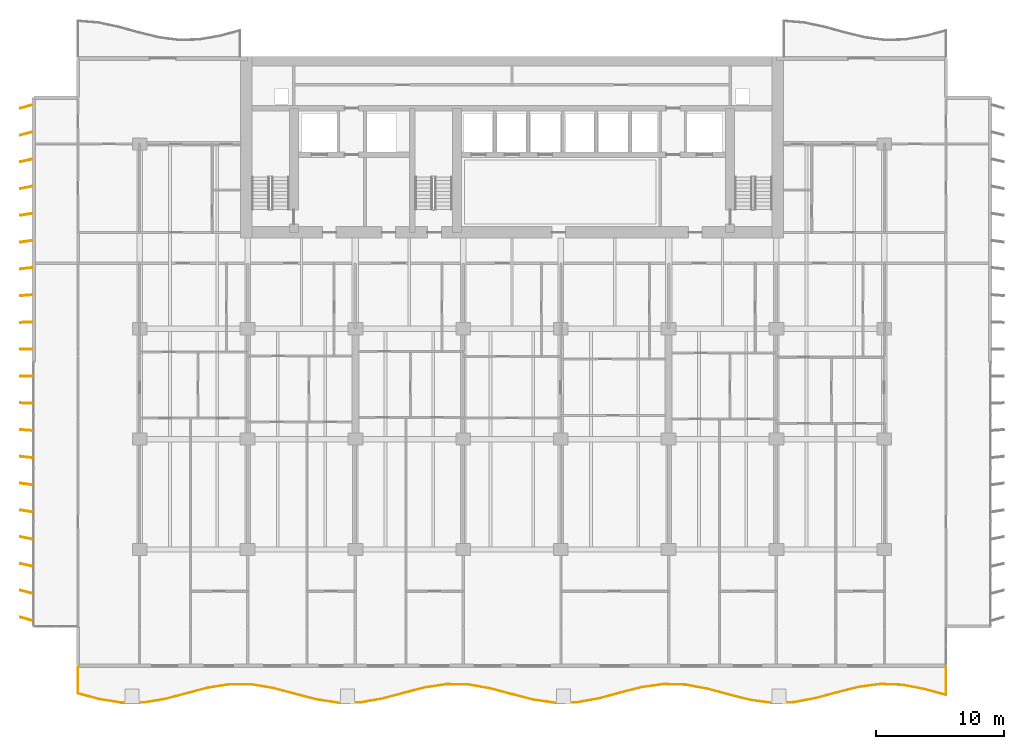
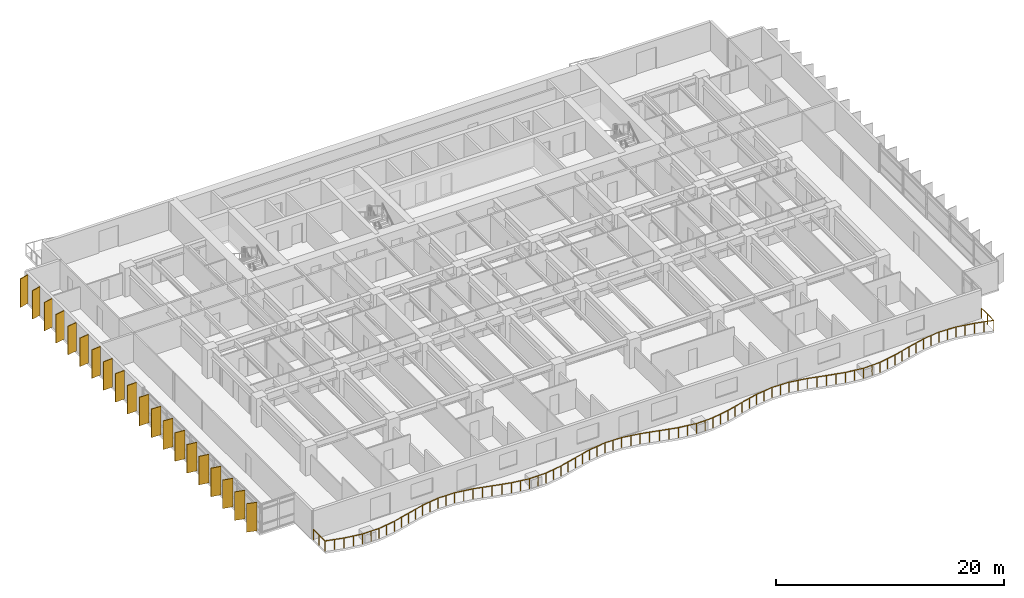
# One storey, part 14 of 17: 20 shading devices, 1 railing.
"""IFC4 building model written with IfcOpenShell, lengths in metres."""

from ifc_helpers import new_model, si_unit, direction, frame, origin, origin_2d, place, context, subcontext, project, spatial, rectangle, circle, extrude, material, material_profile, profile_set, type_object, element, save


model = new_model("IFC4")

# Units and contexts
model_context = context("Model", 3, precision=1e-05, world=origin(), true_north=direction((0.0, 1.0)))
body_context = subcontext(model_context, "Body", "Model", "MODEL_VIEW")
ifc_project = project(units=[si_unit("LENGTHUNIT", "METRE"), si_unit("AREAUNIT", "SQUARE_METRE"), si_unit("VOLUMEUNIT", "CUBIC_METRE"), si_unit("PLANEANGLEUNIT", "RADIAN"), si_unit("MASSUNIT", "GRAM", prefix="KILO")], contexts=[model_context])

# Site, building, storey
site_placement = place(None, origin())
site = spatial("IfcSite", under=ifc_project, at=site_placement, CompositionType="ELEMENT")
building_placement = place(site_placement, origin())
building = spatial("IfcBuilding", under=site, at=building_placement, Name="Caelmar Bay Residences", CompositionType="ELEMENT")
storey_placement = place(building_placement, frame((0.0, 0.0, 30.0)))
storey = spatial("IfcBuildingStorey", under=building, at=storey_placement, Name="L06", CompositionType="ELEMENT", Elevation=30.0)

# Railing
ifc_material_1 = material(Name="Anodised bronze handrail with laminated hurricane glass infill", Category="glass")
railing_type = type_object("IfcRailingType", Name="RL-BAL-1100", PredefinedType="BALUSTRADE", material=ifc_material_1)
railing_placement = place(storey_placement, frame((5.10009765625, 3.0, 0.0)))
element("IfcRailing", 1, at=railing_placement, inside=storey, type_object=railing_type, Name="L06 south Balcony Balustrade", PredefinedType="BALUSTRADE", context=body_context, shape_type="SweptSolid", body=[
    extrude(circle(Radius=0.02392578125, at=origin_2d()), frame((0.0, 0.0, 1.076171875), z_axis=(0.0, -1.0, 0.0), x_axis=(1.0, 0.0, 0.0)), (0.0, 0.0, 1.0), 2.02001953125),
    extrude(circle(Radius=0.02392578125, at=origin_2d()), frame((0.0, -2.02001953125, 1.076171875), z_axis=(0.9673004227, -0.253633381566, 0.0), x_axis=(0.253633381566, 0.9673004227, 0.0)), (0.0, 0.0, 1.0), 1.7470703125),
    extrude(circle(Radius=0.02392578125, at=origin_2d()), frame((1.68994140625, -2.463134765625, 1.076171875), z_axis=(0.987296031473, -0.158891617894, 0.0), x_axis=(0.158891617894, 0.987296031473, 0.0)), (0.0, 0.0, 1.0), 1.711669921875),
    extrude(circle(Radius=0.02392578125, at=origin_2d()), frame((3.3798828125, -2.735107421875, 1.076171875), z_axis=(0.999996618965, 0.002600395715, 0.0), x_axis=(-0.002600395715, 0.999996618965, 0.0)), (0.0, 0.0, 1.0), 1.68994140625),
    extrude(circle(Radius=0.02392578125, at=origin_2d()), frame((5.06982421875, -2.730712890625, 1.076171875), z_axis=(0.986643147145, 0.162896593556, 0.0), x_axis=(-0.162896593556, 0.986643147145, 0.0)), (0.0, 0.0, 1.0), 1.713134765625),
    extrude(circle(Radius=0.02392578125, at=origin_2d()), frame((6.760009765625, -2.45166015625, 1.076171875), z_axis=(0.966956816591, 0.254940218185, 0.0), x_axis=(-0.254940218185, 0.966956816591, 0.0)), (0.0, 0.0, 1.0), 1.747802734375),
    extrude(circle(Radius=0.02392578125, at=origin_2d()), frame((8.449951171875, -2.006103515625, 1.076171875), z_axis=(0.967676628528, 0.252194255687, 0.0), x_axis=(-0.252194255687, 0.967676628528, 0.0)), (0.0, 0.0, 1.0), 1.746337890625),
    extrude(circle(Radius=0.02392578125, at=origin_2d()), frame((10.139892578125, -1.565673828125, 1.076171875), z_axis=(0.9879370861, 0.154855784227, 0.0), x_axis=(-0.154855784227, 0.9879370861, 0.0)), (0.0, 0.0, 1.0), 1.710693359375),
    extrude(circle(Radius=0.02392578125, at=origin_2d()), frame((11.829833984375, -1.30078125, 1.076171875), z_axis=(0.999969580712, -0.007799849395, 0.0), x_axis=(0.007799849395, 0.999969580712, 0.0)), (0.0, 0.0, 1.0), 1.690185546875),
    extrude(circle(Radius=0.02392578125, at=origin_2d()), frame((13.52001953125, -1.31396484375, 1.076171875), z_axis=(0.985990618152, -0.166800782123, 0.0), x_axis=(0.166800782123, 0.985990618152, 0.0)), (0.0, 0.0, 1.0), 1.7138671875),
    extrude(circle(Radius=0.02392578125, at=origin_2d()), frame((15.2099609375, -1.599853515625, 1.076171875), z_axis=(0.966577095615, -0.256376126488, 0.0), x_axis=(0.256376126488, 0.966577095615, 0.0)), (0.0, 0.0, 1.0), 1.748291015625),
    extrude(circle(Radius=0.02392578125, at=origin_2d()), frame((16.89990234375, -2.048095703125, 1.076171875), z_axis=(0.968118847571, -0.250491311182, 0.0), x_axis=(0.250491311182, 0.968118847571, 0.0)), (0.0, 0.0, 1.0), 1.74560546875),
    extrude(circle(Radius=0.02392578125, at=origin_2d()), frame((18.58984375, -2.4853515625, 1.076171875), z_axis=(0.988583716221, -0.15067261205, 0.0), x_axis=(0.15067261205, 0.988583716221, 0.0)), (0.0, 0.0, 1.0), 1.70947265625),
    extrude(circle(Radius=0.02392578125, at=origin_2d()), frame((20.27978515625, -2.742919921875, 1.076171875), z_axis=(0.999917375751, 0.012854636204, 0.0), x_axis=(-0.012854636204, 0.999917375751, 0.0)), (0.0, 0.0, 1.0), 1.6904296875),
    extrude(circle(Radius=0.02392578125, at=origin_2d()), frame((21.969970703125, -2.72119140625, 1.076171875), z_axis=(0.985327496445, 0.17067432364, 0.0), x_axis=(-0.17067432364, 0.985327496445, 0.0)), (0.0, 0.0, 1.0), 1.715087890625),
    extrude(circle(Radius=0.02392578125, at=origin_2d()), frame((23.659912109375, -2.428466796875, 1.076171875), z_axis=(0.966230305808, 0.257680026657, 0.0), x_axis=(-0.257680026657, 0.966230305808, 0.0)), (0.0, 0.0, 1.0), 1.7490234375),
    extrude(circle(Radius=0.02392578125, at=origin_2d()), frame((25.349853515625, -1.977783203125, 1.076171875), z_axis=(0.968558468622, 0.248786038314, 0.0), x_axis=(-0.248786038314, 0.968558468622, 0.0)), (0.0, 0.0, 1.0), 1.744873046875),
    extrude(circle(Radius=0.02392578125, at=origin_2d()), frame((27.039794921875, -1.543701171875, 1.076171875), z_axis=(0.989216500601, 0.146460625901, 0.0), x_axis=(-0.146460625901, 0.989216500601, 0.0)), (0.0, 0.0, 1.0), 1.70849609375),
    extrude(circle(Radius=0.02392578125, at=origin_2d()), frame((28.72998046875, -1.29345703125, 1.076171875), z_axis=(0.999836987602, -0.018055420897, 0.0), x_axis=(0.018055420897, 0.999836987602, 0.0)), (0.0, 0.0, 1.0), 1.690185546875),
    extrude(circle(Radius=0.02392578125, at=origin_2d()), frame((30.419921875, -1.323974609375, 1.076171875), z_axis=(0.984674527906, -0.174402047271, 0.0), x_axis=(0.174402047271, 0.984674527906, 0.0)), (0.0, 0.0, 1.0), 1.71630859375),
    extrude(circle(Radius=0.02392578125, at=origin_2d()), frame((32.10986328125, -1.623291015625, 1.076171875), z_axis=(0.965951788185, -0.258722134541, 0.0), x_axis=(0.258722134541, 0.965951788185, 0.0)), (0.0, 0.0, 1.0), 1.74951171875),
    extrude(circle(Radius=0.02392578125, at=origin_2d()), frame((33.7998046875, -2.075927734375, 1.076171875), z_axis=(0.968970509617, -0.247176357068, 0.0), x_axis=(0.247176357068, 0.968970509617, 0.0)), (0.0, 0.0, 1.0), 1.744384765625),
    extrude(circle(Radius=0.02392578125, at=origin_2d()), frame((35.489990234375, -2.507080078125, 1.076171875), z_axis=(0.989826141841, -0.142282145497, 0.0), x_axis=(0.142282145497, 0.989826141841, 0.0)), (0.0, 0.0, 1.0), 1.707275390625),
    extrude(circle(Radius=0.02392578125, at=origin_2d()), frame((37.179931640625, -2.75, 1.076171875), z_axis=(0.999729615122, 0.02325288472, 0.0), x_axis=(-0.02325288472, 0.999729615122, 0.0)), (0.0, 0.0, 1.0), 1.6904296875),
    extrude(circle(Radius=0.02392578125, at=origin_2d()), frame((38.869873046875, -2.710693359375, 1.076171875), z_axis=(0.984008359062, 0.178122287475, 0.0), x_axis=(-0.178122287475, 0.984008359062, 0.0)), (0.0, 0.0, 1.0), 1.71728515625),
    extrude(circle(Radius=0.02392578125, at=origin_2d()), frame((40.559814453125, -2.40478515625, 1.076171875), z_axis=(0.965646726702, 0.259858421471, 0.0), x_axis=(-0.259858421471, 0.965646726702, 0.0)), (0.0, 0.0, 1.0), 1.750244140625),
    extrude(circle(Radius=0.02392578125, at=origin_2d()), frame((42.25, -1.949951171875, 1.076171875), z_axis=(0.969429869882, 0.24536855418, 0.0), x_axis=(-0.24536855418, 0.969429869882, 0.0)), (0.0, 0.0, 1.0), 1.7431640625),
    extrude(circle(Radius=0.02392578125, at=origin_2d()), frame((43.93994140625, -1.522216796875, 1.076171875), z_axis=(0.990460834972, 0.13779453685, 0.0), x_axis=(-0.13779453685, 0.990460834972, 0.0)), (0.0, 0.0, 1.0), 1.706298828125),
    extrude(circle(Radius=0.02392578125, at=origin_2d()), frame((45.6298828125, -1.287109375, 1.076171875), z_axis=(0.999603432028, -0.028159877094, 0.0), x_axis=(0.028159877094, 0.999603432028, 0.0)), (0.0, 0.0, 1.0), 1.690673828125),
    extrude(circle(Radius=0.02392578125, at=origin_2d()), frame((47.31982421875, -1.334716796875, 1.076171875), z_axis=(0.98330836722, -0.181946846513, 0.0), x_axis=(0.181946846513, 0.98330836722, 0.0)), (0.0, 0.0, 1.0), 1.718994140625),
    extrude(circle(Radius=0.02392578125, at=origin_2d()), frame((49.010009765625, -1.6474609375, 1.076171875), z_axis=(0.965391869343, -0.260803639941, 0.0), x_axis=(0.260803639941, 0.965391869343, 0.0)), (0.0, 0.0, 1.0), 1.75048828125),
    extrude(circle(Radius=0.02392578125, at=origin_2d()), frame((50.699951171875, -2.10400390625, 1.076171875), z_axis=(0.969927816453, -0.243392750243, 0.0), x_axis=(0.243392750243, 0.969927816453, 0.0)), (0.0, 0.0, 1.0), 1.742431640625),
    extrude(circle(Radius=0.02392578125, at=origin_2d()), frame((52.389892578125, -2.528076171875, 1.076171875), z_axis=(0.991038076884, -0.133579677222, 0.0), x_axis=(0.133579677222, 0.991038076884, 0.0)), (0.0, 0.0, 1.0), 1.705322265625),
    extrude(circle(Radius=0.02392578125, at=origin_2d()), frame((54.079833984375, -2.755859375, 1.076171875), z_axis=(0.999438962736, 0.03349268227, 0.0), x_axis=(-0.03349268227, 0.999438962736, 0.0)), (0.0, 0.0, 1.0), 1.691162109375),
    extrude(circle(Radius=0.02392578125, at=origin_2d()), frame((55.77001953125, -2.69921875, 1.076171875), z_axis=(0.982662629756, 0.185402686284, 0.0), x_axis=(-0.185402686284, 0.982662629756, 0.0)), (0.0, 0.0, 1.0), 1.7197265625),
    extrude(circle(Radius=0.02392578125, at=origin_2d()), frame((57.4599609375, -2.38037109375, 1.076171875), z_axis=(0.965145700367, 0.261713157987, 0.0), x_axis=(-0.261713157987, 0.965145700367, 0.0)), (0.0, 0.0, 1.0), 1.7509765625),
    extrude(circle(Radius=0.02392578125, at=origin_2d()), frame((59.14990234375, -1.922119140625, 1.076171875), z_axis=(0.970422239668, 0.241413911689, 0.0), x_axis=(-0.241413911689, 0.970422239668, 0.0)), (0.0, 0.0, 1.0), 1.741455078125),
    extrude(circle(Radius=0.02392578125, at=origin_2d()), frame((60.83984375, -1.501708984375, 1.076171875), z_axis=(0.9916163801, 0.129216696742, 0.0), x_axis=(-0.129216696742, 0.9916163801, 0.0)), (0.0, 0.0, 1.0), 1.704345703125),
    extrude(circle(Radius=0.02392578125, at=origin_2d()), frame((62.52978515625, -1.281494140625, 1.076171875), z_axis=(0.999257118215, -0.038538444397, 0.0), x_axis=(0.038538444397, 0.999257118215, 0.0)), (0.0, 0.0, 1.0), 1.69140625),
    extrude(circle(Radius=0.02392578125, at=origin_2d()), frame((64.219970703125, -1.3466796875, 1.076171875), z_axis=(0.981957846028, -0.189099943478, 0.0), x_axis=(0.189099943478, 0.981957846028, 0.0)), (0.0, 0.0, 1.0), 1.720947265625),
    extrude(circle(Radius=0.02392578125, at=origin_2d()), frame((65.909912109375, -1.672119140625, 1.076171875), z_axis=(0.964934116904, -0.262492190426, 0.0), x_axis=(0.262492190426, 0.964934116904, 0.0)), (0.0, 0.0, 1.0), 1.75146484375),
    extrude(circle(Radius=0.02392578125, at=origin_2d()), frame((67.599853515625, -2.1318359375, 1.076171875), z_axis=(0.0, 1.0, 0.0), x_axis=(-1.0, 0.0, 0.0)), (0.0, 0.0, 1.0), 2.1318359375),
    extrude(circle(Radius=0.02099609375, at=origin_2d()), origin(), (0.0, 0.0, 1.0), 1.052001953125),
    extrude(circle(Radius=0.02099609375, at=origin_2d()), frame((0.0, -1.010009765625, 0.0)), (0.0, 0.0, 1.0), 1.052001953125),
    extrude(circle(Radius=0.02099609375, at=origin_2d()), frame((0.0, -2.02001953125, 0.0)), (0.0, 0.0, 1.0), 1.052001953125),
    extrude(circle(Radius=0.02099609375, at=origin_2d()), frame((0.844970703125, -2.24169921875, 0.0)), (0.0, 0.0, 1.0), 1.052001953125),
    extrude(circle(Radius=0.02099609375, at=origin_2d()), frame((1.68994140625, -2.463134765625, 0.0)), (0.0, 0.0, 1.0), 1.052001953125),
    extrude(circle(Radius=0.02099609375, at=origin_2d()), frame((2.534912109375, -2.59912109375, 0.0)), (0.0, 0.0, 1.0), 1.052001953125),
    extrude(circle(Radius=0.02099609375, at=origin_2d()), frame((3.3798828125, -2.735107421875, 0.0)), (0.0, 0.0, 1.0), 1.052001953125),
    extrude(circle(Radius=0.02099609375, at=origin_2d()), frame((4.224853515625, -2.73291015625, 0.0)), (0.0, 0.0, 1.0), 1.052001953125),
    extrude(circle(Radius=0.02099609375, at=origin_2d()), frame((5.06982421875, -2.730712890625, 0.0)), (0.0, 0.0, 1.0), 1.052001953125),
    extrude(circle(Radius=0.02099609375, at=origin_2d()), frame((5.9150390625, -2.59130859375, 0.0)), (0.0, 0.0, 1.0), 1.052001953125),
    extrude(circle(Radius=0.02099609375, at=origin_2d()), frame((6.760009765625, -2.45166015625, 0.0)), (0.0, 0.0, 1.0), 1.052001953125),
    extrude(circle(Radius=0.02099609375, at=origin_2d()), frame((7.60498046875, -2.22900390625, 0.0)), (0.0, 0.0, 1.0), 1.052001953125),
    extrude(circle(Radius=0.02099609375, at=origin_2d()), frame((8.449951171875, -2.006103515625, 0.0)), (0.0, 0.0, 1.0), 1.052001953125),
    extrude(circle(Radius=0.02099609375, at=origin_2d()), frame((9.294921875, -1.785888671875, 0.0)), (0.0, 0.0, 1.0), 1.052001953125),
    extrude(circle(Radius=0.02099609375, at=origin_2d()), frame((10.139892578125, -1.565673828125, 0.0)), (0.0, 0.0, 1.0), 1.052001953125),
    extrude(circle(Radius=0.02099609375, at=origin_2d()), frame((10.98486328125, -1.43310546875, 0.0)), (0.0, 0.0, 1.0), 1.052001953125),
    extrude(circle(Radius=0.02099609375, at=origin_2d()), frame((11.829833984375, -1.30078125, 0.0)), (0.0, 0.0, 1.0), 1.052001953125),
    extrude(circle(Radius=0.02099609375, at=origin_2d()), frame((12.6748046875, -1.307373046875, 0.0)), (0.0, 0.0, 1.0), 1.052001953125),
    extrude(circle(Radius=0.02099609375, at=origin_2d()), frame((13.52001953125, -1.31396484375, 0.0)), (0.0, 0.0, 1.0), 1.052001953125),
    extrude(circle(Radius=0.02099609375, at=origin_2d()), frame((14.364990234375, -1.45703125, 0.0)), (0.0, 0.0, 1.0), 1.052001953125),
    extrude(circle(Radius=0.02099609375, at=origin_2d()), frame((15.2099609375, -1.599853515625, 0.0)), (0.0, 0.0, 1.0), 1.052001953125),
    extrude(circle(Radius=0.02099609375, at=origin_2d()), frame((16.054931640625, -1.823974609375, 0.0)), (0.0, 0.0, 1.0), 1.052001953125),
    extrude(circle(Radius=0.02099609375, at=origin_2d()), frame((16.89990234375, -2.048095703125, 0.0)), (0.0, 0.0, 1.0), 1.052001953125),
    extrude(circle(Radius=0.02099609375, at=origin_2d()), frame((17.744873046875, -2.2666015625, 0.0)), (0.0, 0.0, 1.0), 1.052001953125),
    extrude(circle(Radius=0.02099609375, at=origin_2d()), frame((18.58984375, -2.4853515625, 0.0)), (0.0, 0.0, 1.0), 1.052001953125),
    extrude(circle(Radius=0.02099609375, at=origin_2d()), frame((19.434814453125, -2.6142578125, 0.0)), (0.0, 0.0, 1.0), 1.052001953125),
    extrude(circle(Radius=0.02099609375, at=origin_2d()), frame((20.27978515625, -2.742919921875, 0.0)), (0.0, 0.0, 1.0), 1.052001953125),
    extrude(circle(Radius=0.02099609375, at=origin_2d()), frame((21.125, -2.73193359375, 0.0)), (0.0, 0.0, 1.0), 1.052001953125),
    extrude(circle(Radius=0.02099609375, at=origin_2d()), frame((21.969970703125, -2.72119140625, 0.0)), (0.0, 0.0, 1.0), 1.052001953125),
    extrude(circle(Radius=0.02099609375, at=origin_2d()), frame((22.81494140625, -2.57470703125, 0.0)), (0.0, 0.0, 1.0), 1.052001953125),
    extrude(circle(Radius=0.02099609375, at=origin_2d()), frame((23.659912109375, -2.428466796875, 0.0)), (0.0, 0.0, 1.0), 1.052001953125),
    extrude(circle(Radius=0.02099609375, at=origin_2d()), frame((24.5048828125, -2.203125, 0.0)), (0.0, 0.0, 1.0), 1.052001953125),
    extrude(circle(Radius=0.02099609375, at=origin_2d()), frame((25.349853515625, -1.977783203125, 0.0)), (0.0, 0.0, 1.0), 1.052001953125),
    extrude(circle(Radius=0.02099609375, at=origin_2d()), frame((26.19482421875, -1.7607421875, 0.0)), (0.0, 0.0, 1.0), 1.052001953125),
    extrude(circle(Radius=0.02099609375, at=origin_2d()), frame((27.039794921875, -1.543701171875, 0.0)), (0.0, 0.0, 1.0), 1.052001953125),
    extrude(circle(Radius=0.02099609375, at=origin_2d()), frame((27.884765625, -1.41845703125, 0.0)), (0.0, 0.0, 1.0), 1.052001953125),
    extrude(circle(Radius=0.02099609375, at=origin_2d()), frame((28.72998046875, -1.29345703125, 0.0)), (0.0, 0.0, 1.0), 1.052001953125),
    extrude(circle(Radius=0.02099609375, at=origin_2d()), frame((29.574951171875, -1.30859375, 0.0)), (0.0, 0.0, 1.0), 1.052001953125),
    extrude(circle(Radius=0.02099609375, at=origin_2d()), frame((30.419921875, -1.323974609375, 0.0)), (0.0, 0.0, 1.0), 1.052001953125),
    extrude(circle(Radius=0.02099609375, at=origin_2d()), frame((31.264892578125, -1.4736328125, 0.0)), (0.0, 0.0, 1.0), 1.052001953125),
    extrude(circle(Radius=0.02099609375, at=origin_2d()), frame((32.10986328125, -1.623291015625, 0.0)), (0.0, 0.0, 1.0), 1.052001953125),
    extrude(circle(Radius=0.02099609375, at=origin_2d()), frame((32.954833984375, -1.849609375, 0.0)), (0.0, 0.0, 1.0), 1.052001953125),
    extrude(circle(Radius=0.02099609375, at=origin_2d()), frame((33.7998046875, -2.075927734375, 0.0)), (0.0, 0.0, 1.0), 1.052001953125),
    extrude(circle(Radius=0.02099609375, at=origin_2d()), frame((34.64501953125, -2.29150390625, 0.0)), (0.0, 0.0, 1.0), 1.052001953125),
    extrude(circle(Radius=0.02099609375, at=origin_2d()), frame((35.489990234375, -2.507080078125, 0.0)), (0.0, 0.0, 1.0), 1.052001953125),
    extrude(circle(Radius=0.02099609375, at=origin_2d()), frame((36.3349609375, -2.62841796875, 0.0)), (0.0, 0.0, 1.0), 1.052001953125),
    extrude(circle(Radius=0.02099609375, at=origin_2d()), frame((37.179931640625, -2.75, 0.0)), (0.0, 0.0, 1.0), 1.052001953125),
    extrude(circle(Radius=0.02099609375, at=origin_2d()), frame((38.02490234375, -2.73046875, 0.0)), (0.0, 0.0, 1.0), 1.052001953125),
    extrude(circle(Radius=0.02099609375, at=origin_2d()), frame((38.869873046875, -2.710693359375, 0.0)), (0.0, 0.0, 1.0), 1.052001953125),
    extrude(circle(Radius=0.02099609375, at=origin_2d()), frame((39.71484375, -2.5576171875, 0.0)), (0.0, 0.0, 1.0), 1.052001953125),
    extrude(circle(Radius=0.02099609375, at=origin_2d()), frame((40.559814453125, -2.40478515625, 0.0)), (0.0, 0.0, 1.0), 1.052001953125),
    extrude(circle(Radius=0.02099609375, at=origin_2d()), frame((41.40478515625, -2.17724609375, 0.0)), (0.0, 0.0, 1.0), 1.052001953125),
    extrude(circle(Radius=0.02099609375, at=origin_2d()), frame((42.25, -1.949951171875, 0.0)), (0.0, 0.0, 1.0), 1.052001953125),
    extrude(circle(Radius=0.02099609375, at=origin_2d()), frame((43.094970703125, -1.736083984375, 0.0)), (0.0, 0.0, 1.0), 1.052001953125),
    extrude(circle(Radius=0.02099609375, at=origin_2d()), frame((43.93994140625, -1.522216796875, 0.0)), (0.0, 0.0, 1.0), 1.052001953125),
    extrude(circle(Radius=0.02099609375, at=origin_2d()), frame((44.784912109375, -1.40478515625, 0.0)), (0.0, 0.0, 1.0), 1.052001953125),
    extrude(circle(Radius=0.02099609375, at=origin_2d()), frame((45.6298828125, -1.287109375, 0.0)), (0.0, 0.0, 1.0), 1.052001953125),
    extrude(circle(Radius=0.02099609375, at=origin_2d()), frame((46.474853515625, -1.31103515625, 0.0)), (0.0, 0.0, 1.0), 1.052001953125),
    extrude(circle(Radius=0.02099609375, at=origin_2d()), frame((47.31982421875, -1.334716796875, 0.0)), (0.0, 0.0, 1.0), 1.052001953125),
    extrude(circle(Radius=0.02099609375, at=origin_2d()), frame((48.1650390625, -1.4912109375, 0.0)), (0.0, 0.0, 1.0), 1.052001953125),
    extrude(circle(Radius=0.02099609375, at=origin_2d()), frame((49.010009765625, -1.6474609375, 0.0)), (0.0, 0.0, 1.0), 1.052001953125),
    extrude(circle(Radius=0.02099609375, at=origin_2d()), frame((49.85498046875, -1.875732421875, 0.0)), (0.0, 0.0, 1.0), 1.052001953125),
    extrude(circle(Radius=0.02099609375, at=origin_2d()), frame((50.699951171875, -2.10400390625, 0.0)), (0.0, 0.0, 1.0), 1.052001953125),
    extrude(circle(Radius=0.02099609375, at=origin_2d()), frame((51.544921875, -2.31591796875, 0.0)), (0.0, 0.0, 1.0), 1.052001953125),
    extrude(circle(Radius=0.02099609375, at=origin_2d()), frame((52.389892578125, -2.528076171875, 0.0)), (0.0, 0.0, 1.0), 1.052001953125),
    extrude(circle(Radius=0.02099609375, at=origin_2d()), frame((53.23486328125, -2.64208984375, 0.0)), (0.0, 0.0, 1.0), 1.052001953125),
    extrude(circle(Radius=0.02099609375, at=origin_2d()), frame((54.079833984375, -2.755859375, 0.0)), (0.0, 0.0, 1.0), 1.052001953125),
    extrude(circle(Radius=0.02099609375, at=origin_2d()), frame((54.9248046875, -2.7275390625, 0.0)), (0.0, 0.0, 1.0), 1.052001953125),
    extrude(circle(Radius=0.02099609375, at=origin_2d()), frame((55.77001953125, -2.69921875, 0.0)), (0.0, 0.0, 1.0), 1.052001953125),
    extrude(circle(Radius=0.02099609375, at=origin_2d()), frame((56.614990234375, -2.539794921875, 0.0)), (0.0, 0.0, 1.0), 1.052001953125),
    extrude(circle(Radius=0.02099609375, at=origin_2d()), frame((57.4599609375, -2.38037109375, 0.0)), (0.0, 0.0, 1.0), 1.052001953125),
    extrude(circle(Radius=0.02099609375, at=origin_2d()), frame((58.304931640625, -2.1513671875, 0.0)), (0.0, 0.0, 1.0), 1.052001953125),
    extrude(circle(Radius=0.02099609375, at=origin_2d()), frame((59.14990234375, -1.922119140625, 0.0)), (0.0, 0.0, 1.0), 1.052001953125),
    extrude(circle(Radius=0.02099609375, at=origin_2d()), frame((59.994873046875, -1.7119140625, 0.0)), (0.0, 0.0, 1.0), 1.052001953125),
    extrude(circle(Radius=0.02099609375, at=origin_2d()), frame((60.83984375, -1.501708984375, 0.0)), (0.0, 0.0, 1.0), 1.052001953125),
    extrude(circle(Radius=0.02099609375, at=origin_2d()), frame((61.684814453125, -1.3916015625, 0.0)), (0.0, 0.0, 1.0), 1.052001953125),
    extrude(circle(Radius=0.02099609375, at=origin_2d()), frame((62.52978515625, -1.281494140625, 0.0)), (0.0, 0.0, 1.0), 1.052001953125),
    extrude(circle(Radius=0.02099609375, at=origin_2d()), frame((63.375, -1.31396484375, 0.0)), (0.0, 0.0, 1.0), 1.052001953125),
    extrude(circle(Radius=0.02099609375, at=origin_2d()), frame((64.219970703125, -1.3466796875, 0.0)), (0.0, 0.0, 1.0), 1.052001953125),
    extrude(circle(Radius=0.02099609375, at=origin_2d()), frame((65.06494140625, -1.50927734375, 0.0)), (0.0, 0.0, 1.0), 1.052001953125),
    extrude(circle(Radius=0.02099609375, at=origin_2d()), frame((65.909912109375, -1.672119140625, 0.0)), (0.0, 0.0, 1.0), 1.052001953125),
    extrude(circle(Radius=0.02099609375, at=origin_2d()), frame((66.7548828125, -1.90185546875, 0.0)), (0.0, 0.0, 1.0), 1.052001953125),
    extrude(circle(Radius=0.02099609375, at=origin_2d()), frame((67.599853515625, -2.1318359375, 0.0)), (0.0, 0.0, 1.0), 1.052001953125),
    extrude(circle(Radius=0.02099609375, at=origin_2d()), frame((67.599853515625, -1.06591796875, 0.0)), (0.0, 0.0, 1.0), 1.052001953125),
    extrude(circle(Radius=0.02099609375, at=origin_2d()), frame((67.599853515625, 0.0, 0.0)), (0.0, 0.0, 1.0), 1.052001953125),
])

# Shading devices
ifc_material_2 = material(Name="Anodised architectural bronze aluminium 6063-T6", Category="aluminium")
ifc_material_profile = material_profile(ifc_material_2, rectangle(XDim=0.074951171875, YDim=0.949951171875, at=origin_2d()), Name="BRONZE-FIN-75X950")
ifc_profile_set = profile_set([ifc_material_profile], Name="Anodised architectural bronze aluminium 6063-T6")
shading_device_type = type_object("IfcShadingDeviceType", Name="SHD-FIN-950", PredefinedType="USERDEFINED", material=ifc_profile_set)
for number, where, z_axis, x_axis, name in (
    (2, (1.050048828125, 6.800048828125, 0.0), (0.0, 0.0, 1.0), (0.275637355817, 0.961261695938, 0.0), "L06 West Bronze Solar Fin 1"),
    (3, (1.050048828125, 8.89990234375, 0.0), (0.0, 0.0, 1.0), (0.247337247968, 0.968929453452, 0.0), "L06 West Bronze Solar Fin 2"),
    (4, (1.050048828125, 11.0, 0.0), (0.0, 0.0, 1.0), (0.218654200292, 0.975802408633, 0.0), "L06 West Bronze Solar Fin 3"),
    (5, (1.050048828125, 13.10009765625, 0.0), (0.0, 0.0, 1.0), (0.189952291512, 0.981793321911, 0.0), "L06 West Bronze Solar Fin 4"),
    (6, (1.050048828125, 15.199951171875, 0.0), (0.0, 0.0, 1.0), (0.160914826518, 0.986968296657, 0.0), "L06 West Bronze Solar Fin 5"),
    (7, (1.050048828125, 17.300048828125, 0.0), (0.0, 0.0, 1.0), (0.131910382711, 0.991261646052, 0.0), "L06 West Bronze Solar Fin 6"),
    (8, (1.050048828125, 19.39990234375, 0.0), (0.0, 0.0, 1.0), (0.10261892683, 0.994720742649, 0.0), "L06 West Bronze Solar Fin 7"),
    (9, (1.050048828125, 21.5, 0.0), (0.0, 0.0, 1.0), (0.073412260224, 0.997301679558, 0.0), "L06 West Bronze Solar Fin 8"),
    (10, (1.050048828125, 23.60009765625, 0.0), (0.0, 0.0, 1.0), (0.044142481788, 0.999025245578, 0.0), "L06 West Bronze Solar Fin 9"),
    (11, (1.050048828125, 25.699951171875, 0.0), (0.0, 0.0, 1.0), (0.01466024053, 0.999892532899, 0.0), "L06 West Bronze Solar Fin 10"),
    (12, (1.050048828125, 27.800048828125, 0.0), (0.0, 0.0, 1.0), (-0.01466024053, 0.999892532899, 0.0), "L06 West Bronze Solar Fin 11"),
    (13, (1.050048828125, 29.89990234375, 0.0), (0.0, 0.0, 1.0), (-0.044142481788, 0.999025245578, 0.0), "L06 West Bronze Solar Fin 12"),
    (14, (1.050048828125, 32.0, 0.0), (0.0, 0.0, 1.0), (-0.073412260224, 0.997301679558, 0.0), "L06 West Bronze Solar Fin 13"),
    (15, (1.050048828125, 34.10009765625, 0.0), (0.0, 0.0, 1.0), (-0.10261892683, 0.994720742649, 0.0), "L06 West Bronze Solar Fin 14"),
    (16, (1.050048828125, 36.199951171875, 0.0), (0.0, 0.0, 1.0), (-0.131910382711, 0.991261646052, 0.0), "L06 West Bronze Solar Fin 15"),
    (17, (1.050048828125, 38.300048828125, 0.0), (0.0, 0.0, 1.0), (-0.160914826518, 0.986968296657, 0.0), "L06 West Bronze Solar Fin 16"),
    (18, (1.050048828125, 40.39990234375, 0.0), (0.0, 0.0, 1.0), (-0.189952291512, 0.981793321911, 0.0), "L06 West Bronze Solar Fin 17"),
    (19, (1.050048828125, 42.5, 0.0), (0.0, 0.0, 1.0), (-0.218654200292, 0.975802408633, 0.0), "L06 West Bronze Solar Fin 18"),
    (20, (1.050048828125, 44.60009765625, 0.0), (0.0, 0.0, 1.0), (-0.247337247968, 0.968929453452, 0.0), "L06 West Bronze Solar Fin 19"),
    (21, (1.050048828125, 46.699951171875, 0.0), (0.0, 0.0, 1.0), (-0.275637355817, 0.961261695938, 0.0), "L06 West Bronze Solar Fin 20"),
):
    element("IfcShadingDevice", number, at=place(storey_placement, frame(where, z_axis=z_axis, x_axis=x_axis)), inside=storey, type_object=shading_device_type, Name=name, ObjectType="FIN", PredefinedType="USERDEFINED", context=body_context, shape_type="SweptSolid", body=[
        extrude(rectangle(XDim=0.074951171875, YDim=0.949951171875, at=origin_2d()), origin(), (0.0, 0.0, 1.0), 3.050048828125),
    ])

save(model, "model.ifc")
